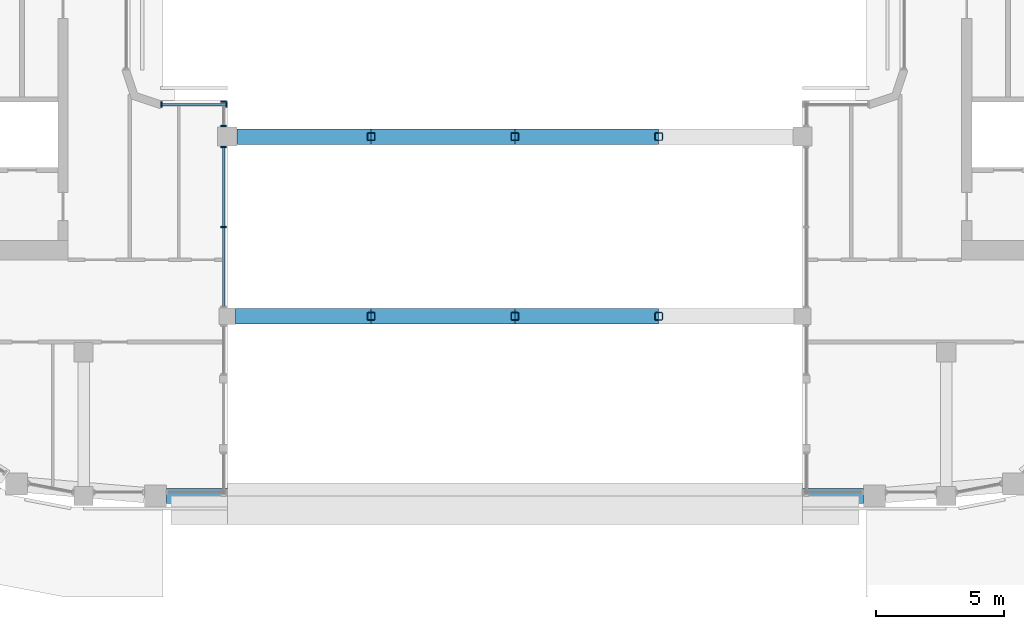
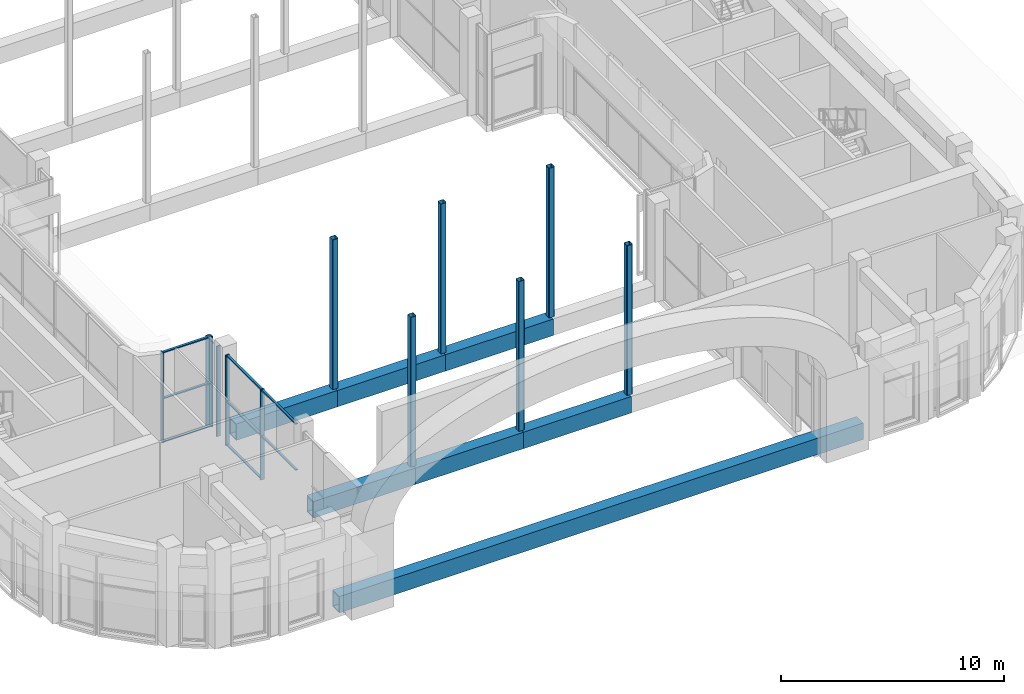
# One storey, part 3 of 26: 27 members, 3 elements without a shape of their own.
"""IFC4 building model written with IfcOpenShell, lengths in metres."""

from ifc_helpers import new_model, si_unit, direction, frame, origin, origin_2d, place, context, subcontext, project, spatial, rectangle, hollow_rectangle, extrude, material, layer, layer_set, material_profile, profile_set, type_object, element, aggregate, save


model = new_model("IFC4")

# Units and contexts
model_context = context("Model", 3, precision=1e-05, world=origin(), true_north=direction((0.0, 1.0)))
body_context = subcontext(model_context, "Body", "Model", "MODEL_VIEW")
ifc_project = project(units=[si_unit("LENGTHUNIT", "METRE"), si_unit("AREAUNIT", "SQUARE_METRE"), si_unit("VOLUMEUNIT", "CUBIC_METRE"), si_unit("PLANEANGLEUNIT", "RADIAN"), si_unit("MASSUNIT", "GRAM", prefix="KILO")], contexts=[model_context])

# Site, building, storey
site_placement = place(None, origin())
site = spatial("IfcSite", under=ifc_project, at=site_placement, CompositionType="ELEMENT")
building_placement = place(site_placement, origin())
building = spatial("IfcBuilding", under=site, at=building_placement, Name="Kiln Ring Residences", CompositionType="ELEMENT")
storey_placement = place(building_placement, frame((0.0, 0.0, 230.89990234375)))
storey = spatial("IfcBuildingStorey", under=building, at=storey_placement, Name="L60", CompositionType="ELEMENT", Elevation=230.89990234375)

# Members
ifc_material_1 = material(Name="Steel S460", Category="steel")
ifc_material_profile_1 = material_profile(ifc_material_1, hollow_rectangle(XDim=0.60009765625, YDim=0.89990234375, WallThickness=0.050048828125, at=origin_2d()), Name="BOX900x600x50")
ifc_profile_set_1 = profile_set([ifc_material_profile_1], Name="Steel S460")
member_type_1 = type_object("IfcMemberType", Name="Bridge truss chord BOX900x600x50 S460", PredefinedType="CHORD", material=ifc_profile_set_1)
member_1_placement = place(storey_placement, frame((-13.574951171875, -22.39990234375, 0.4501953125), z_axis=(1.0, 0.0, 0.0), x_axis=(0.0, 1.0, 0.0)))
element("IfcMember", 1, at=member_1_placement, inside=storey, type_object=member_type_1, Name="Bridge truss chord L60 1", PredefinedType="CHORD", context=body_context, shape_type="SweptSolid", body=[
    extrude(hollow_rectangle(XDim=0.60009765625, YDim=0.89990234375, WallThickness=0.050048828125, at=origin_2d()), origin(), (0.0, 0.0, 1.0), 27.14990234375),
])
member_2_placement = place(storey_placement, frame((-10.875, -15.39990234375, 0.4501953125), z_axis=(1.0, 0.0, 0.0), x_axis=(0.0, 1.0, 0.0)))
element("IfcMember", 2, at=member_2_placement, inside=storey, type_object=member_type_1, Name="Bridge truss chord L60 2", PredefinedType="CHORD", context=body_context, shape_type="SweptSolid", body=[
    extrude(hollow_rectangle(XDim=0.60009765625, YDim=0.89990234375, WallThickness=0.050048828125, at=origin_2d()), origin(), (0.0, 0.0, 1.0), 5.27490234375),
])
for number, where, z_axis, x_axis, name in (
    (3, (-5.60009765625, -15.39990234375, 0.4501953125), (1.0, 0.0, 0.0), (0.0, 1.0, 0.0), "Bridge truss chord L60 3"),
    (4, (0.0, -15.39990234375, 0.4501953125), (1.0, 0.0, 0.0), (0.0, 1.0, 0.0), "Bridge truss chord L60 4"),
):
    element("IfcMember", number, at=place(storey_placement, frame(where, z_axis=z_axis, x_axis=x_axis)), inside=storey, type_object=member_type_1, Name=name, PredefinedType="CHORD", context=body_context, shape_type="SweptSolid", body=[
        extrude(hollow_rectangle(XDim=0.60009765625, YDim=0.89990234375, WallThickness=0.050048828125, at=origin_2d()), origin(), (0.0, 0.0, 1.0), 5.60009765625),
    ])
member_3_placement = place(storey_placement, frame((-10.824951171875, -8.39990234375, 0.4501953125), z_axis=(1.0, 0.0, 0.0), x_axis=(0.0, 1.0, 0.0)))
element("IfcMember", 5, at=member_3_placement, inside=storey, type_object=member_type_1, Name="Bridge truss chord L60 6", PredefinedType="CHORD", context=body_context, shape_type="SweptSolid", body=[
    extrude(hollow_rectangle(XDim=0.60009765625, YDim=0.89990234375, WallThickness=0.050048828125, at=origin_2d()), origin(), (0.0, 0.0, 1.0), 5.224853515625),
])
for number, where, z_axis, x_axis, name in (
    (6, (-5.60009765625, -8.39990234375, 0.4501953125), (1.0, 0.0, 0.0), (0.0, 1.0, 0.0), "Bridge truss chord L60 7"),
    (7, (0.0, -8.39990234375, 0.4501953125), (1.0, 0.0, 0.0), (0.0, 1.0, 0.0), "Bridge truss chord L60 8"),
):
    element("IfcMember", number, at=place(storey_placement, frame(where, z_axis=z_axis, x_axis=x_axis)), inside=storey, type_object=member_type_1, Name=name, PredefinedType="CHORD", context=body_context, shape_type="SweptSolid", body=[
        extrude(hollow_rectangle(XDim=0.60009765625, YDim=0.89990234375, WallThickness=0.050048828125, at=origin_2d()), origin(), (0.0, 0.0, 1.0), 5.60009765625),
    ])
ifc_material_2 = material(Name="Steel S355", Category="steel")
ifc_material_profile_2 = material_profile(ifc_material_2, hollow_rectangle(XDim=0.300048828125, YDim=0.300048828125, WallThickness=0.01611328125, InnerFilletRadius=0.01611328125, OuterFilletRadius=0.0400390625, at=origin_2d()), Name="SHS300x300x16")
ifc_profile_set_2 = profile_set([ifc_material_profile_2], Name="Steel S355")
member_type_2 = type_object("IfcMemberType", Name="Bridge truss post SHS300x300x16 S355", PredefinedType="POST", material=ifc_profile_set_2)
for number, where, z_axis, x_axis, name in (
    (8, (-5.60009765625, -15.39990234375, 0.900146484375), (0.0, 0.0, 1.0), (1.0, 0.0, 0.0), "Bridge truss post L60 1"),
    (9, (0.0, -15.39990234375, 0.900146484375), (0.0, 0.0, 1.0), (1.0, 0.0, 0.0), "Bridge truss post L60 2"),
    (10, (5.60009765625, -15.39990234375, 0.900146484375), (0.0, 0.0, 1.0), (1.0, 0.0, 0.0), "Bridge truss post L60 3"),
    (11, (-5.60009765625, -8.39990234375, 0.900146484375), (0.0, 0.0, 1.0), (1.0, 0.0, 0.0), "Bridge truss post L60 4"),
    (12, (0.0, -8.39990234375, 0.900146484375), (0.0, 0.0, 1.0), (1.0, 0.0, 0.0), "Bridge truss post L60 5"),
    (13, (5.60009765625, -8.39990234375, 0.900146484375), (0.0, 0.0, 1.0), (1.0, 0.0, 0.0), "Bridge truss post L60 6"),
):
    element("IfcMember", number, at=place(storey_placement, frame(where, z_axis=z_axis, x_axis=x_axis)), inside=storey, type_object=member_type_2, Name=name, PredefinedType="POST", context=body_context, shape_type="SweptSolid", body=[
        extrude(hollow_rectangle(XDim=0.300048828125, YDim=0.300048828125, WallThickness=0.01611328125, InnerFilletRadius=0.01611328125, OuterFilletRadius=0.0400390625, at=origin_2d()), origin(), (0.0, 0.0, 1.0), 8.199951171875),
    ])

# Curtain wall, members
ifc_material_3 = material(Name="Aluminium and glass", Category="aluminium")
ifc_layer = layer(ifc_material_3, 0.199951171875)
ifc_layer_set = layer_set([ifc_layer], Name="CW1 CURTAIN WALL")
curtain_wall_type = type_object("IfcCurtainWallType", Name="CW1 CURTAIN WALL", PredefinedType="NOTDEFINED", material=ifc_layer_set)
placement = place(storey_placement, origin())
curtain_wall_1 = element("IfcCurtainWall", 14, at=placement, inside=storey, type_object=curtain_wall_type, Name="Curtain wall CW1 L60", PredefinedType="NOTDEFINED")
ifc_material_4 = material(Name="Aluminium 6063-T6", Category="aluminium")
ifc_material_profile_3 = material_profile(ifc_material_4, rectangle(XDim=0.199951171875, YDim=0.06005859375, at=origin_2d()), Name="AL 200x60")
ifc_profile_set_3 = profile_set([ifc_material_profile_3], Name="Aluminium 6063-T6")
member_type_3 = type_object("IfcMemberType", Name="CW1 MULLION 200 x 60", PredefinedType="MULLION", material=ifc_profile_set_3)
member_4_placement = place(storey_placement, frame((-11.35009765625, -11.925048828125, 0.0), z_axis=(0.0, 0.0, 1.0), x_axis=(-1.0, 0.0, 0.0)))
member_4 = element("IfcMember", 15, at=member_4_placement, type_object=member_type_3, Name="CW1 mullion 2", PredefinedType="MULLION", context=body_context, shape_type="SweptSolid", body=[
    extrude(rectangle(XDim=0.199951171875, YDim=0.06005859375, at=origin_2d()), origin(), (0.0, 0.0, 1.0), 4.9501953125),
])
member_5_placement = place(storey_placement, frame((-11.35009765625, -8.804931640625, 0.0), z_axis=(0.0, 0.0, 1.0), x_axis=(-1.0, 0.0, 0.0)))
member_5 = element("IfcMember", 16, at=member_5_placement, type_object=member_type_3, Name="CW1 mullion 3", PredefinedType="MULLION", context=body_context, shape_type="SweptSolid", body=[
    extrude(rectangle(XDim=0.199951171875, YDim=0.06005859375, at=origin_2d()), origin(), (0.0, 0.0, 1.0), 4.9501953125),
])

curtain_wall_2 = element("IfcCurtainWall", 17, at=placement, inside=storey, type_object=curtain_wall_type, Name="Curtain wall CW1 L60", PredefinedType="NOTDEFINED")
member_6_placement = place(storey_placement, frame((-11.35009765625, -7.9951171875, 0.0), z_axis=(0.0, 0.0, 1.0), x_axis=(-1.0, 0.0, 0.0)))
member_6 = element("IfcMember", 18, at=member_6_placement, type_object=member_type_3, Name="CW1 mullion 1", PredefinedType="MULLION", context=body_context, shape_type="SweptSolid", body=[
    extrude(rectangle(XDim=0.199951171875, YDim=0.06005859375, at=origin_2d()), origin(), (0.0, 0.0, 1.0), 4.9501953125),
])
member_7_placement = place(storey_placement, frame((-11.35009765625, -7.030029296875, 0.0), z_axis=(0.0, 0.0, 1.0), x_axis=(-1.0, 0.0, 0.0)))
member_7 = element("IfcMember", 19, at=member_7_placement, type_object=member_type_3, Name="CW1 mullion 2", PredefinedType="MULLION", context=body_context, shape_type="SweptSolid", body=[
    extrude(rectangle(XDim=0.199951171875, YDim=0.06005859375, at=origin_2d()), origin(), (0.0, 0.0, 1.0), 4.9501953125),
])
aggregate(curtain_wall_2, [member_6, member_7])

curtain_wall_3 = element("IfcCurtainWall", 20, at=placement, inside=storey, type_object=curtain_wall_type, Name="Curtain wall CW1 L60", PredefinedType="NOTDEFINED")
member_8_placement = place(storey_placement, frame((-11.22998046875, -7.14990234375, 0.0), z_axis=(0.0, 0.0, 1.0), x_axis=(0.0, -1.0, 0.0)))
member_8 = element("IfcMember", 21, at=member_8_placement, type_object=member_type_3, Name="CW1 mullion 1", PredefinedType="MULLION", context=body_context, shape_type="SweptSolid", body=[
    extrude(rectangle(XDim=0.199951171875, YDim=0.06005859375, at=origin_2d()), origin(), (0.0, 0.0, 1.0), 4.9501953125),
])
member_9_placement = place(storey_placement, frame((-13.77001953125, -7.14990234375, 0.0), z_axis=(0.0, 0.0, 1.0), x_axis=(0.0, -1.0, 0.0)))
member_9 = element("IfcMember", 22, at=member_9_placement, type_object=member_type_3, Name="CW1 mullion 2", PredefinedType="MULLION", context=body_context, shape_type="SweptSolid", body=[
    extrude(rectangle(XDim=0.199951171875, YDim=0.06005859375, at=origin_2d()), origin(), (0.0, 0.0, 1.0), 4.9501953125),
])

# Member
ifc_material_5 = material(Name="Aluminium 6063-T6", Category="aluminium")
ifc_material_profile_4 = material_profile(ifc_material_5, rectangle(XDim=0.1201171875, YDim=0.06005859375, at=origin_2d()), Name="AL 120x60")
ifc_profile_set_4 = profile_set([ifc_material_profile_4], Name="Aluminium 6063-T6")
member_type_4 = type_object("IfcMemberType", Name="CW1 TRANSOM 120 x 60", PredefinedType="USERDEFINED", material=ifc_profile_set_4)
member_10_placement = place(storey_placement, frame((-11.35009765625, -15.014892578125, 2.400146484375), z_axis=(0.0, 1.0, 0.0), x_axis=(-1.0, 0.0, 0.0)))
member_10 = element("IfcMember", 23, at=member_10_placement, type_object=member_type_4, Name="CW1 transom 1.2", ObjectType="TRANSOM", PredefinedType="USERDEFINED", context=body_context, shape_type="SweptSolid", body=[
    extrude(rectangle(XDim=0.1201171875, YDim=0.06005859375, at=origin_2d()), origin(), (0.0, 0.0, 1.0), 3.059814453125),
])

member_11_placement = place(storey_placement, frame((-11.35009765625, -15.014892578125, 4.920166015625), z_axis=(0.0, 1.0, 0.0), x_axis=(-1.0, 0.0, 0.0)))
member_11 = element("IfcMember", 24, at=member_11_placement, type_object=member_type_4, Name="CW1 transom 1.3", ObjectType="TRANSOM", PredefinedType="USERDEFINED", context=body_context, shape_type="SweptSolid", body=[
    extrude(rectangle(XDim=0.1201171875, YDim=0.06005859375, at=origin_2d()), origin(), (0.0, 0.0, 1.0), 3.059814453125),
])

member_12_placement = place(storey_placement, frame((-11.35009765625, -11.89501953125, 0.030029296875), z_axis=(0.0, 1.0, 0.0), x_axis=(-1.0, 0.0, 0.0)))
member_12 = element("IfcMember", 25, at=member_12_placement, type_object=member_type_4, Name="CW1 transom 2.1", ObjectType="TRANSOM", PredefinedType="USERDEFINED", context=body_context, shape_type="SweptSolid", body=[
    extrude(rectangle(XDim=0.1201171875, YDim=0.06005859375, at=origin_2d()), origin(), (0.0, 0.0, 1.0), 3.06005859375),
])

member_13_placement = place(storey_placement, frame((-11.35009765625, -11.89501953125, 2.400146484375), z_axis=(0.0, 1.0, 0.0), x_axis=(-1.0, 0.0, 0.0)))
member_13 = element("IfcMember", 26, at=member_13_placement, type_object=member_type_4, Name="CW1 transom 2.2", ObjectType="TRANSOM", PredefinedType="USERDEFINED", context=body_context, shape_type="SweptSolid", body=[
    extrude(rectangle(XDim=0.1201171875, YDim=0.06005859375, at=origin_2d()), origin(), (0.0, 0.0, 1.0), 3.06005859375),
])

member_14_placement = place(storey_placement, frame((-11.35009765625, -11.89501953125, 4.920166015625), z_axis=(0.0, 1.0, 0.0), x_axis=(-1.0, 0.0, 0.0)))
member_14 = element("IfcMember", 27, at=member_14_placement, type_object=member_type_4, Name="CW1 transom 2.3", ObjectType="TRANSOM", PredefinedType="USERDEFINED", context=body_context, shape_type="SweptSolid", body=[
    extrude(rectangle(XDim=0.1201171875, YDim=0.06005859375, at=origin_2d()), origin(), (0.0, 0.0, 1.0), 3.06005859375),
])

aggregate(curtain_wall_1, [member_4, member_5, member_10, member_11, member_12, member_13, member_14])

member_15_placement = place(storey_placement, frame((-11.260009765625, -7.14990234375, 0.030029296875), z_axis=(-1.0, 0.0, 0.0), x_axis=(0.0, -1.0, 0.0)))
member_15 = element("IfcMember", 28, at=member_15_placement, type_object=member_type_4, Name="CW1 transom 1.1", ObjectType="TRANSOM", PredefinedType="USERDEFINED", context=body_context, shape_type="SweptSolid", body=[
    extrude(rectangle(XDim=0.1201171875, YDim=0.06005859375, at=origin_2d()), origin(), (0.0, 0.0, 1.0), 2.47998046875),
])

member_16_placement = place(storey_placement, frame((-11.260009765625, -7.14990234375, 2.400146484375), z_axis=(-1.0, 0.0, 0.0), x_axis=(0.0, -1.0, 0.0)))
member_16 = element("IfcMember", 29, at=member_16_placement, type_object=member_type_4, Name="CW1 transom 1.2", ObjectType="TRANSOM", PredefinedType="USERDEFINED", context=body_context, shape_type="SweptSolid", body=[
    extrude(rectangle(XDim=0.1201171875, YDim=0.06005859375, at=origin_2d()), origin(), (0.0, 0.0, 1.0), 2.47998046875),
])

member_17_placement = place(storey_placement, frame((-11.260009765625, -7.14990234375, 4.920166015625), z_axis=(-1.0, 0.0, 0.0), x_axis=(0.0, -1.0, 0.0)))
member_17 = element("IfcMember", 30, at=member_17_placement, type_object=member_type_4, Name="CW1 transom 1.3", ObjectType="TRANSOM", PredefinedType="USERDEFINED", context=body_context, shape_type="SweptSolid", body=[
    extrude(rectangle(XDim=0.1201171875, YDim=0.06005859375, at=origin_2d()), origin(), (0.0, 0.0, 1.0), 2.47998046875),
])

aggregate(curtain_wall_3, [member_8, member_9, member_15, member_16, member_17])

save(model, "model.ifc")
